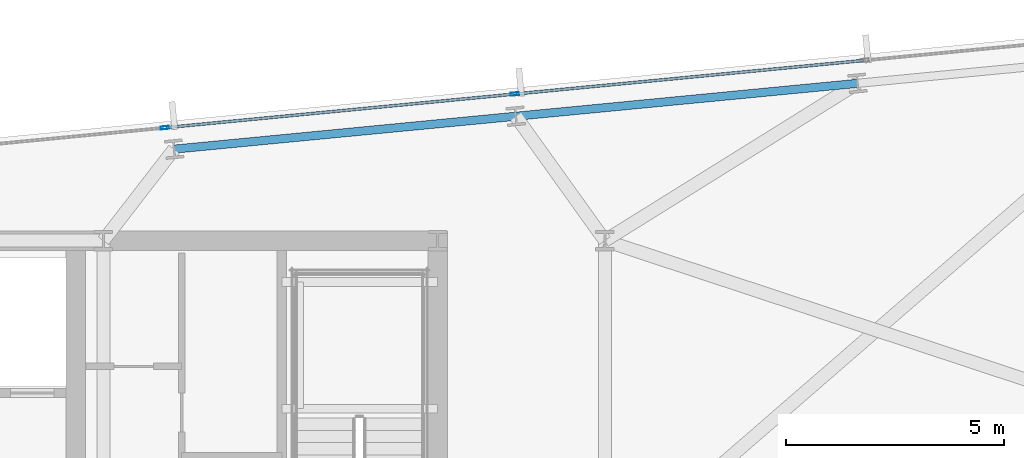
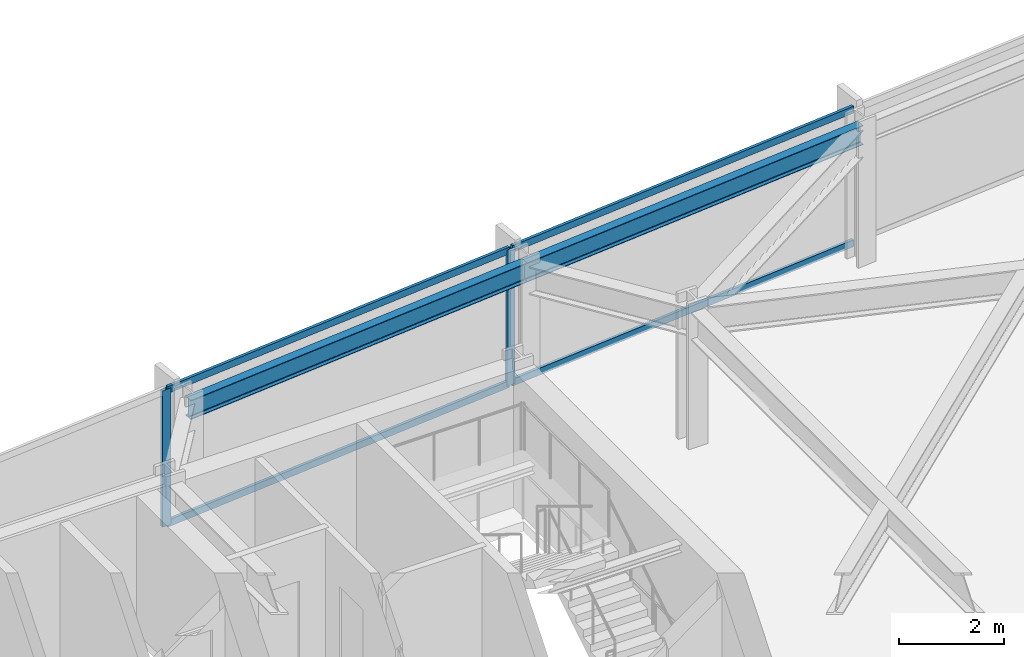
# One storey, part 21 of 32: 6 members, 2 beams, 1 element without a shape of its own.
"""IFC4 building model written with IfcOpenShell, lengths in metres."""

from ifc_helpers import new_model, si_unit, direction, frame, origin, origin_2d, place, context, subcontext, project, spatial, hollow_rectangle, i_section, extrude, material, material_profile, profile_set, type_object, element, aggregate, save


model = new_model("IFC4")

# Units and contexts
model_context = context("Model", 3, precision=1e-05, world=origin(), true_north=direction((0.0, 1.0)))
body_context = subcontext(model_context, "Body", "Model", "MODEL_VIEW")
ifc_project = project(units=[si_unit("LENGTHUNIT", "METRE"), si_unit("AREAUNIT", "SQUARE_METRE"), si_unit("VOLUMEUNIT", "CUBIC_METRE"), si_unit("PLANEANGLEUNIT", "RADIAN"), si_unit("MASSUNIT", "GRAM", prefix="KILO")], contexts=[model_context])

# Site, building, storey
site_placement = place(None, origin())
site = spatial("IfcSite", under=ifc_project, at=site_placement, CompositionType="ELEMENT")
building_placement = place(site_placement, origin())
building = spatial("IfcBuilding", under=site, at=building_placement, Name="Yelkora Congress Tower", CompositionType="ELEMENT")
storey_placement = place(building_placement, frame((0.0, 0.0, 93.10009765625)))
storey = spatial("IfcBuildingStorey", under=building, at=storey_placement, Name="L24", CompositionType="ELEMENT", Elevation=93.10009765625)

# Beams
ifc_material_1 = material(Name="Steel S355J2", Category="steel")
ifc_material_profile_1 = material_profile(ifc_material_1, i_section(OverallWidth=0.18994140625, OverallDepth=0.449951171875, WebThickness=0.009521484375, FlangeThickness=0.0146484375, FilletRadius=0.02099609375, at=origin_2d()), Name="IPE 450")
ifc_profile_set_1 = profile_set([ifc_material_profile_1], Name="Steel S355J2")
beam_type = type_object("IfcBeamType", Name="BM-SPAN-IPE450", PredefinedType="SPANDREL", material=ifc_profile_set_1)
for number, where, z_axis, x_axis, name in (
    (1, (63.4033203125, 49.81201171875, 2.954833984375), (-0.995398529126, -0.09582154358, 0.0), (0.09582154358, -0.995398529126, 0.0), "L24 Perimeter Beam 15"),
    (2, (55.553955078125, 49.056396484375, 2.954833984375), (-0.995395575667, -0.095852219286, 0.0), (0.095852219286, -0.995395575667, 0.0), "L24 Perimeter Beam 16"),
):
    element("IfcBeam", number, at=place(storey_placement, frame(where, z_axis=z_axis, x_axis=x_axis)), inside=storey, type_object=beam_type, Name=name, PredefinedType="SPANDREL", context=body_context, shape_type="SweptSolid", body=[
        extrude(i_section(OverallWidth=0.18994140625, OverallDepth=0.449951171875, WebThickness=0.009521484375, FlangeThickness=0.0146484375, FilletRadius=0.02099609375, at=origin_2d()), origin(), (0.0, 0.0, 1.0), 7.8857421875),
    ])

# Curtain wall, members
ifc_material_2 = material(Name="Anodised aluminium and insulated glass", Category="aluminium")
curtain_wall_type = type_object("IfcCurtainWallType", Name="CW-SYS-B2", PredefinedType="NOTDEFINED", material=ifc_material_2)
curtain_wall_placement = place(storey_placement, origin())
curtain_wall = element("IfcCurtainWall", 3, at=curtain_wall_placement, inside=storey, type_object=curtain_wall_type, Name="L24 Unitised Curtain Wall 10 (3)", PredefinedType="NOTDEFINED")
ifc_material_3 = material(Name="Anodised aluminium 6063-T6", Category="aluminium")
ifc_material_profile_2 = material_profile(ifc_material_3, hollow_rectangle(XDim=0.070068359375, YDim=0.18994140625, WallThickness=0.00390625, at=origin_2d()), Name="ALU 70x190x4")
ifc_profile_set_2 = profile_set([ifc_material_profile_2], Name="Anodised aluminium 6063-T6")
member_type_1 = type_object("IfcMemberType", Name="MEM-ML-B2", PredefinedType="MULLION", material=ifc_profile_set_2)
member_1_placement = place(storey_placement, frame((47.491943359375, 48.79248046875, 0.0), z_axis=(0.0, 0.0, 1.0), x_axis=(-0.095844238468, 0.995396344153, 0.0)))
member_1 = element("IfcMember", 4, at=member_1_placement, type_object=member_type_1, Name="CW-B2 mullion 4", PredefinedType="MULLION", context=body_context, shape_type="SweptSolid", body=[
    extrude(hollow_rectangle(XDim=0.070068359375, YDim=0.18994140625, WallThickness=0.00390625, at=origin_2d()), origin(), (0.0, 0.0, 1.0), 3.179931640625),
])
member_2_placement = place(storey_placement, frame((55.531982421875, 49.566650390625, 0.0), z_axis=(0.0, 0.0, 1.0), x_axis=(-0.095844238468, 0.995396344153, 0.0)))
member_2 = element("IfcMember", 5, at=member_2_placement, type_object=member_type_1, Name="CW-B2 mullion 5", PredefinedType="MULLION", context=body_context, shape_type="SweptSolid", body=[
    extrude(hollow_rectangle(XDim=0.070068359375, YDim=0.18994140625, WallThickness=0.00390625, at=origin_2d()), origin(), (0.0, 0.0, 1.0), 3.179931640625),
])
ifc_material_profile_3 = material_profile(ifc_material_3, hollow_rectangle(XDim=0.06494140625, YDim=0.159912109375, WallThickness=0.00390625, at=origin_2d()), Name="ALU 65x160x4")
ifc_profile_set_3 = profile_set([ifc_material_profile_3], Name="Anodised aluminium 6063-T6")
member_type_2 = type_object("IfcMemberType", Name="MEM-TR-B2", PredefinedType="USERDEFINED", material=ifc_profile_set_3)
member_3_placement = place(storey_placement, frame((47.52685546875, 48.7958984375, 0.032470703125), z_axis=(0.995397513894, 0.095832089266, 0.0), x_axis=(-0.095832089266, 0.995397513894, 0.0)))
member_3 = element("IfcMember", 6, at=member_3_placement, type_object=member_type_2, Name="CW-B2 transom 4.1", ObjectType="TRANSOM", PredefinedType="USERDEFINED", context=body_context, shape_type="SweptSolid", body=[
    extrude(hollow_rectangle(XDim=0.06494140625, YDim=0.159912109375, WallThickness=0.00390625, at=origin_2d()), origin(), (0.0, 0.0, 1.0), 8.007080078125),
])
member_4_placement = place(storey_placement, frame((47.52685546875, 48.7958984375, 3.1474609375), z_axis=(0.995397513894, 0.095832089266, 0.0), x_axis=(-0.095832089266, 0.995397513894, 0.0)))
member_4 = element("IfcMember", 7, at=member_4_placement, type_object=member_type_2, Name="CW-B2 transom 4.2", ObjectType="TRANSOM", PredefinedType="USERDEFINED", context=body_context, shape_type="SweptSolid", body=[
    extrude(hollow_rectangle(XDim=0.06494140625, YDim=0.159912109375, WallThickness=0.00390625, at=origin_2d()), origin(), (0.0, 0.0, 1.0), 8.007080078125),
])
member_5_placement = place(storey_placement, frame((55.566650390625, 49.570068359375, 0.032470703125), z_axis=(0.995397793901, 0.09582918082, 0.0), x_axis=(-0.09582918082, 0.995397793901, 0.0)))
member_5 = element("IfcMember", 8, at=member_5_placement, type_object=member_type_2, Name="CW-B2 transom 5.1", ObjectType="TRANSOM", PredefinedType="USERDEFINED", context=body_context, shape_type="SweptSolid", body=[
    extrude(hollow_rectangle(XDim=0.06494140625, YDim=0.159912109375, WallThickness=0.00390625, at=origin_2d()), origin(), (0.0, 0.0, 1.0), 8.00732421875),
])
member_6_placement = place(storey_placement, frame((55.566650390625, 49.570068359375, 3.1474609375), z_axis=(0.995397793901, 0.09582918082, 0.0), x_axis=(-0.09582918082, 0.995397793901, 0.0)))
member_6 = element("IfcMember", 9, at=member_6_placement, type_object=member_type_2, Name="CW-B2 transom 5.2", ObjectType="TRANSOM", PredefinedType="USERDEFINED", context=body_context, shape_type="SweptSolid", body=[
    extrude(hollow_rectangle(XDim=0.06494140625, YDim=0.159912109375, WallThickness=0.00390625, at=origin_2d()), origin(), (0.0, 0.0, 1.0), 8.00732421875),
])
aggregate(curtain_wall, [member_1, member_2, member_3, member_4, member_5, member_6])

save(model, "model.ifc")
